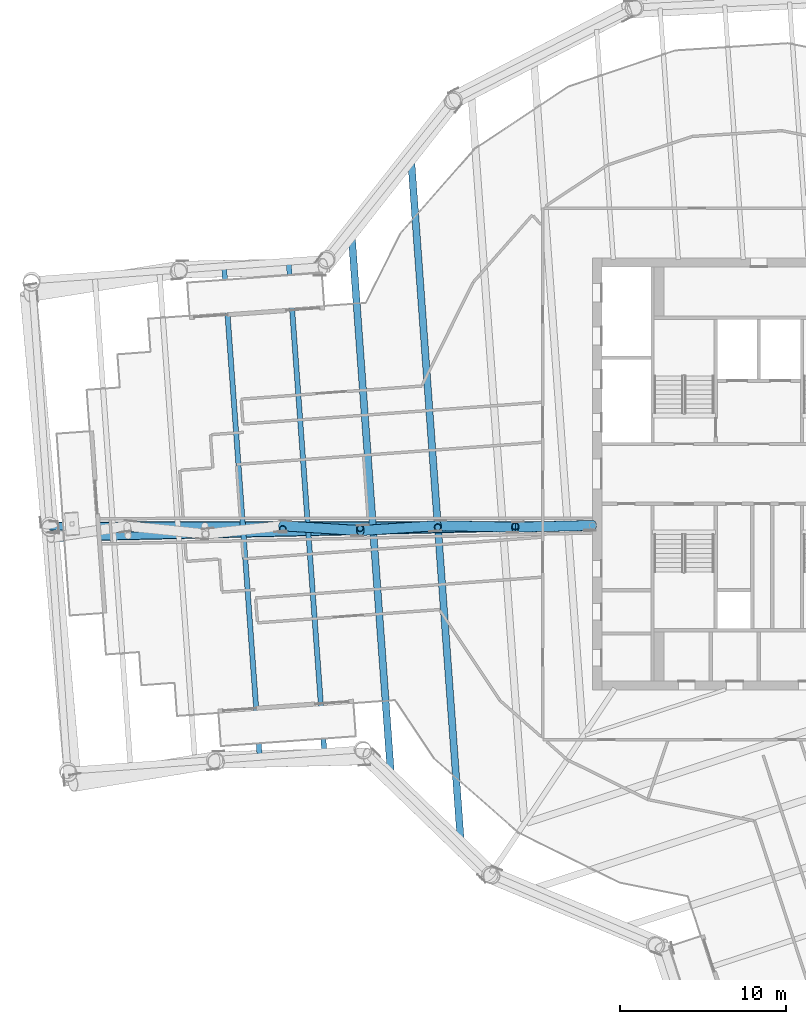
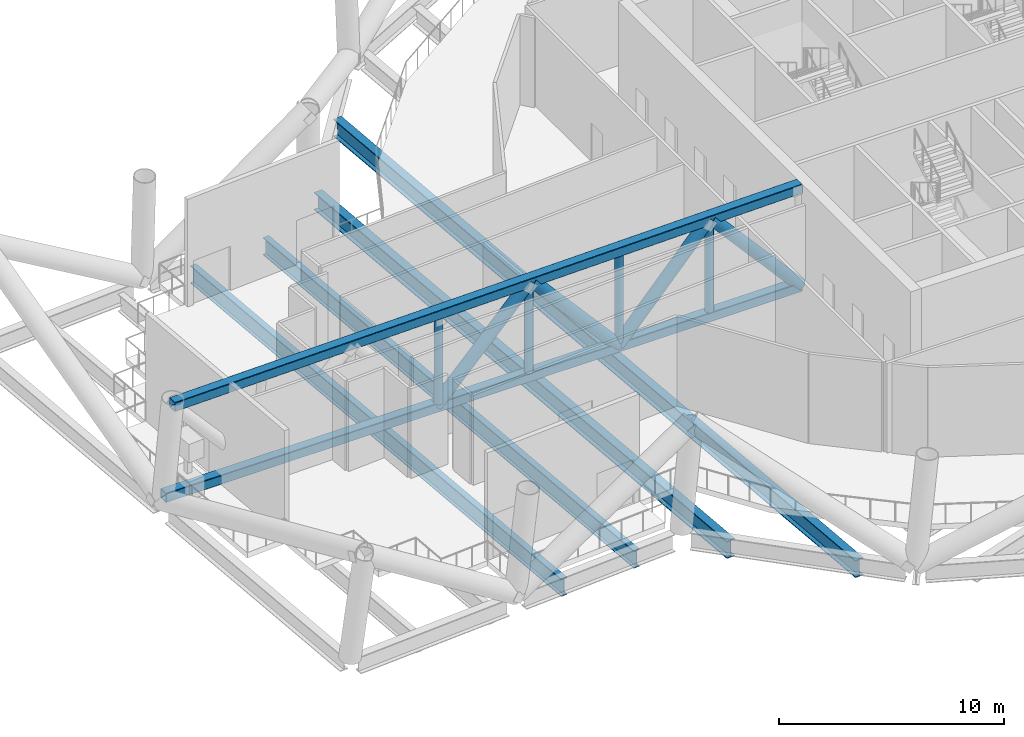
# One storey, part 4 of 33: 10 members, 4 beams.
"""IFC4 building model written with IfcOpenShell, lengths in metres."""

import ifcopenshell
import ifcopenshell.guid

model = None  # the IFC model being written
_history = None  # IfcOwnerHistory: only IFC2X3 demands one
_inside = {}  # id of a spatial element -> (the spatial element, [elements in it])
_under = {}  # id of a project, library or spatial element -> (it, [spatial elements below it])
_declared = {}  # id of a project -> (the project, [libraries it declares])
_typed = {}  # id of a type object -> (the type object, [elements of that type])
_made_of = {}  # id of a material, layer set ... -> (it, [elements and type objects made of it])


def new_model(schema):
    """Start an empty IFC model of exactly this schema.

    Asked for "IFC4X3", IfcOpenShell would pick the latest addendum, in which some entities
    have other attributes; the version numbers below select the first issue.
    IFC2X3 requires an IfcOwnerHistory on every rooted entity: one is made here for all.
    """
    global model, _history
    if schema == "IFC4X3":
        model = ifcopenshell.file(schema_version=(4, 3, 0, 0))
    else:
        model = ifcopenshell.file(schema=schema)
    _inside.clear()
    _under.clear()
    _declared.clear()
    _typed.clear()
    _made_of.clear()
    _history = None
    if model.schema == "IFC2X3":
        org = make("IfcOrganization", Name="unknown")
        user = make(
            "IfcPersonAndOrganization",
            ThePerson=make("IfcPerson", FamilyName="unknown"),
            TheOrganization=org,
        )
        app = make(
            "IfcApplication",
            ApplicationDeveloper=org,
            Version="unknown",
            ApplicationFullName="unknown",
            ApplicationIdentifier="unknown",
        )
        _history = make(
            "IfcOwnerHistory",
            OwningUser=user,
            OwningApplication=app,
            ChangeAction="ADDED",
            CreationDate=0,
        )
    return model


def make(cls, **values):
    """One entity of the class cls with the attributes given. An attribute that is None is left unset."""
    return model.create_entity(
        cls, **{name: value for name, value in values.items() if value is not None}
    )


def rooted(cls, **values):
    """An entity with a GlobalId (a new one), such as an element, a storey or a relation."""
    return make(cls, GlobalId=ifcopenshell.guid.new(), OwnerHistory=_history, **values)


def si_unit(unit_type, name, prefix=None):
    """IfcSIUnit, for example si_unit("LENGTHUNIT", "METRE", prefix="MILLI")."""
    return make("IfcSIUnit", UnitType=unit_type, Prefix=prefix, Name=name)


def assignment(units):
    """IfcUnitAssignment: the units of a project."""
    return None if units is None else make("IfcUnitAssignment", Units=units)


def point(xyz):
    """IfcCartesianPoint."""
    return None if xyz is None else make("IfcCartesianPoint", Coordinates=xyz)


def direction(xyz):
    """IfcDirection."""
    return None if xyz is None else make("IfcDirection", DirectionRatios=xyz)


def frame(location, z_axis=None, x_axis=None):
    """IfcAxis2Placement3D, a coordinate frame: its origin and axes. An axis left out is left unset."""
    return make(
        "IfcAxis2Placement3D",
        Location=point(location),
        Axis=direction(z_axis),
        RefDirection=direction(x_axis),
    )


def frame_2d(location, x_axis=None):
    """IfcAxis2Placement2D, a coordinate frame in the plane: its origin and x axis."""
    return make(
        "IfcAxis2Placement2D", Location=point(location), RefDirection=direction(x_axis)
    )


def origin():
    """The frame at (0, 0, 0) with its axes left unset."""
    return frame((0.0, 0.0, 0.0))


def origin_2d():
    """The frame at (0, 0) in the plane with its x axis left unset."""
    return frame_2d((0.0, 0.0))


def place(relative_to, where):
    """IfcLocalPlacement: puts the frame where relative to a parent placement (None: the world)."""
    return make(
        "IfcLocalPlacement", PlacementRelTo=relative_to, RelativePlacement=where
    )


def context(
    kind, dimensions, precision=None, world=None, true_north=None, identifier=None
):
    """IfcGeometricRepresentationContext, for example the 3D "Model" context."""
    return make(
        "IfcGeometricRepresentationContext",
        ContextIdentifier=identifier,
        ContextType=kind,
        CoordinateSpaceDimension=dimensions,
        Precision=precision,
        WorldCoordinateSystem=world,
        TrueNorth=true_north,
    )


def subcontext(parent, identifier, kind, view, scale=None):
    """IfcGeometricRepresentationSubContext, for example "Body" below "Model"."""
    return make(
        "IfcGeometricRepresentationSubContext",
        ContextIdentifier=identifier,
        ContextType=kind,
        ParentContext=parent,
        TargetScale=scale,
        TargetView=view,
    )


def project(units=None, contexts=None):
    """IfcProject with its units and contexts."""
    return rooted(
        "IfcProject",
        Name="project",
        RepresentationContexts=contexts,
        UnitsInContext=assignment(units),
    )


def spatial(cls, under=None, at=None, **own):
    """A site, building, storey or space (cls), placed at a placement, below another one or the project."""
    s = rooted(cls, ObjectPlacement=at, **own)
    if under is not None:
        _under.setdefault(under.id(), (under, []))[1].append(s)
    return s


def profile(cls, at=None, kind="AREA", **sizes):
    """A parametric profile (cls). Its sizes go by their IFC names, for example OverallWidth=200.0."""
    return make(cls, ProfileType=kind, Position=at, **sizes)


def hollow_rectangle(**sizes):
    """IfcRectangleHollowProfileDef."""
    return profile("IfcRectangleHollowProfileDef", **sizes)


def hollow_circle(**sizes):
    """IfcCircleHollowProfileDef."""
    return profile("IfcCircleHollowProfileDef", **sizes)


def i_section(**sizes):
    """IfcIShapeProfileDef."""
    return profile("IfcIShapeProfileDef", **sizes)


def extrude(swept, where, along, depth):
    """IfcExtrudedAreaSolid: the profile swept, set in the frame where, extruded along a direction by depth."""
    return make(
        "IfcExtrudedAreaSolid",
        SweptArea=swept,
        Position=where,
        ExtrudedDirection=direction(along),
        Depth=depth,
    )


def shape(context_of_items, identifier, shape_type, items):
    """IfcShapeRepresentation: the items that make up one representation, for example the "Body"."""
    return make(
        "IfcShapeRepresentation",
        ContextOfItems=context_of_items,
        RepresentationIdentifier=identifier,
        RepresentationType=shape_type,
        Items=items,
    )


def material(Name=None, Category=None):
    """IfcMaterial."""
    return make("IfcMaterial", Name=Name, Category=Category)


def material_profile(
    of_material, cross_section, Name=None, Category=None, Priority=None
):
    """IfcMaterialProfile: a cross section and its material."""
    return make(
        "IfcMaterialProfile",
        Name=Name,
        Material=of_material,
        Profile=cross_section,
        Priority=Priority,
        Category=Category,
    )


def profile_set(profiles, Name=None, composite=None):
    """IfcMaterialProfileSet."""
    return make(
        "IfcMaterialProfileSet",
        Name=Name,
        MaterialProfiles=profiles,
        CompositeProfile=composite,
    )


def made_of(thing, what):
    """Note that an element or type object is made of a material, layer set ...; save() writes the relation."""
    if what is not None:
        _made_of.setdefault(what.id(), (what, []))[1].append(thing)
    return thing


def type_object(cls, material=None, **own):
    """A type object (cls), such as IfcWallType, which elements share."""
    return made_of(rooted(cls, **own), material)


def element(
    cls,
    number,
    at=None,
    inside=None,
    cuts=None,
    type_object=None,
    material=None,
    context=None,
    identifier="Body",
    shape_type=None,
    held_by="IfcProductDefinitionShape",
    body=None,
    shapes=None,
    **own,
):
    """One element of the class cls, such as IfcWall. Its Tag is "e" and its number.

    at: its placement. inside: the storey or other place that contains it. cuts: it is an
    opening in that element (IfcRelVoidsElement). A single representation is given by context,
    identifier, shape_type and body (its items); several are given by shapes. held_by: the class
    of the entity that holds the representations. save() writes the other relations.
    """
    e = rooted(cls, Tag="e%d" % number, ObjectPlacement=at, **own)
    if body is not None:
        shapes = [shape(context, identifier, shape_type, body)]
    if shapes is not None:
        e.Representation = make(held_by, Representations=shapes)
    if inside is not None:
        _inside.setdefault(inside.id(), (inside, []))[1].append(e)
    if cuts is not None:
        rooted(
            "IfcRelVoidsElement", RelatingBuildingElement=cuts, RelatedOpeningElement=e
        )
    if type_object is not None:
        _typed.setdefault(type_object.id(), (type_object, []))[1].append(e)
    return made_of(e, material)


def aggregate(whole, parts):
    """IfcRelAggregates: a whole, such as a stair, and the parts it consists of."""
    return rooted("IfcRelAggregates", RelatingObject=whole, RelatedObjects=parts)


def save(model, path):
    """Write the relations noted so far, then the file.

    IfcRelAggregates (storeys below a building ...), IfcRelContainedInSpatialStructure (elements
    in a storey), IfcRelDefinesByType, IfcRelAssociatesMaterial and IfcRelDeclares: one each for
    every whole, place, type object, material and project.
    """
    for whole, parts in _under.values():
        aggregate(whole, parts)
    for where, things in _inside.values():
        rooted(
            "IfcRelContainedInSpatialStructure",
            RelatedElements=things,
            RelatingStructure=where,
        )
    for kind, things in _typed.values():
        rooted("IfcRelDefinesByType", RelatedObjects=things, RelatingType=kind)
    for what, things in _made_of.values():
        rooted("IfcRelAssociatesMaterial", RelatedObjects=things, RelatingMaterial=what)
    for by, libraries in _declared.values():
        rooted("IfcRelDeclares", RelatingContext=by, RelatedDefinitions=libraries)
    model.write(path)


model = new_model("IFC4")

# Units and contexts
model_context = context("Model", 3, precision=1e-05, world=origin(), true_north=direction((0.0, 1.0)))
body_context = subcontext(model_context, "Body", "Model", "MODEL_VIEW")
ifc_project = project(units=[si_unit("LENGTHUNIT", "METRE"), si_unit("AREAUNIT", "SQUARE_METRE"), si_unit("VOLUMEUNIT", "CUBIC_METRE"), si_unit("PLANEANGLEUNIT", "RADIAN"), si_unit("MASSUNIT", "GRAM", prefix="KILO")], contexts=[model_context])

# Site, building, storey
site_placement = place(None, origin())
site = spatial("IfcSite", under=ifc_project, at=site_placement, CompositionType="ELEMENT")
building_placement = place(site_placement, origin())
building = spatial("IfcBuilding", under=site, at=building_placement, Name="Tarsis Ring Headquarters", CompositionType="ELEMENT")
storey_placement = place(building_placement, frame((0.0, 0.0, 302.0)))
storey = spatial("IfcBuildingStorey", under=building, at=storey_placement, Name="L71", CompositionType="ELEMENT", Elevation=302.0)

# Beams
ifc_material = material(Name="Structural steel S355", Category="steel")
ifc_material_profile_1 = material_profile(ifc_material, i_section(OverallWidth=0.309814453125, OverallDepth=0.949951171875, WebThickness=0.0244140625, FlangeThickness=0.0439453125, at=origin_2d()), Name="W36x256")
ifc_profile_set_1 = profile_set([ifc_material_profile_1], Name="Structural steel S355")
beam_type_1 = type_object("IfcBeamType", Name="FB Floor beam W36x256", PredefinedType="JOIST", material=ifc_profile_set_1)
beam_1_placement = place(storey_placement, frame((-28.29345703125, 12.668701171875, -0.77490234375), z_axis=(0.072538100793, -0.997365642046, 0.0), x_axis=(0.997365642046, 0.072538100793, 0.0)))
element("IfcBeam", 1, at=beam_1_placement, inside=storey, type_object=beam_type_1, Name="Floor beam FB11", PredefinedType="JOIST", context=body_context, shape_type="SweptSolid", body=[
    extrude(i_section(OverallWidth=0.309814453125, OverallDepth=0.949951171875, WebThickness=0.0244140625, FlangeThickness=0.0439453125, at=origin_2d()), origin(), (0.0, 0.0, 1.0), 29.375732421875),
])
beam_2_placement = place(storey_placement, frame((-32.183349609375, 12.385986328125, -0.77490234375), z_axis=(0.072545766684, -0.997365084478, 0.0), x_axis=(0.997365084478, 0.072545766684, 0.0)))
element("IfcBeam", 2, at=beam_2_placement, inside=storey, type_object=beam_type_1, Name="Floor beam FB11", PredefinedType="JOIST", context=body_context, shape_type="SweptSolid", body=[
    extrude(i_section(OverallWidth=0.309814453125, OverallDepth=0.949951171875, WebThickness=0.0244140625, FlangeThickness=0.0439453125, at=origin_2d()), origin(), (0.0, 0.0, 1.0), 29.3759765625),
])
ifc_material_profile_2 = material_profile(ifc_material, i_section(OverallWidth=0.42431640625, OverallDepth=0.947509765625, WebThickness=0.02392578125, FlangeThickness=0.042724609375, at=origin_2d()), Name="W36x302")
ifc_profile_set_2 = profile_set([ifc_material_profile_2], Name="Structural steel S355")
beam_type_2 = type_object("IfcBeamType", Name="FB Floor beam W36x302", PredefinedType="JOIST", material=ifc_profile_set_2)
beam_3_placement = place(storey_placement, frame((-20.937255859375, 19.053466796875, -0.773681640625), z_axis=(0.072540500779, -0.997365467493, 0.0), x_axis=(0.997365467493, 0.072540500779, 0.0)))
element("IfcBeam", 3, at=beam_3_placement, inside=storey, type_object=beam_type_2, Name="Floor beam FB12", PredefinedType="JOIST", context=body_context, shape_type="SweptSolid", body=[
    extrude(i_section(OverallWidth=0.42431640625, OverallDepth=0.947509765625, WebThickness=0.02392578125, FlangeThickness=0.042724609375, at=origin_2d()), origin(), (0.0, 0.0, 1.0), 41.352783203125),
])
beam_4_placement = place(storey_placement, frame((-24.521484375, 14.5703125, -0.773681640625), z_axis=(0.072537720985, -0.997365669669, 0.0), x_axis=(0.997365669669, 0.072537720985, 0.0)))
element("IfcBeam", 4, at=beam_4_placement, inside=storey, type_object=beam_type_2, Name="Floor beam FB12", PredefinedType="JOIST", context=body_context, shape_type="SweptSolid", body=[
    extrude(i_section(OverallWidth=0.42431640625, OverallDepth=0.947509765625, WebThickness=0.02392578125, FlangeThickness=0.042724609375, at=origin_2d()), origin(), (0.0, 0.0, 1.0), 32.70458984375),
])

# Members
ifc_material_profile_3 = material_profile(ifc_material, hollow_rectangle(XDim=0.508056640625, YDim=0.508056640625, WallThickness=0.025390625, InnerFilletRadius=0.025390625, OuterFilletRadius=0.05078125, at=origin_2d()), Name="HSS 508x508x25")
ifc_profile_set_3 = profile_set([ifc_material_profile_3], Name="Structural steel S355")
member_type_1 = type_object("IfcMemberType", Name="OC Outrigger chord HSS 508x508x25", PredefinedType="CHORD", material=ifc_profile_set_3)
member_1_placement = place(storey_placement, frame((-10.0, -3.10009765625, 0.25390625), z_axis=(-0.999999346949, -0.00114284786, 0.0), x_axis=(0.00114284786, -0.999999346949, 0.0)))
element("IfcMember", 5, at=member_1_placement, inside=storey, type_object=member_type_1, Name="Outrigger chord OC1", PredefinedType="CHORD", context=body_context, shape_type="SweptSolid", body=[
    extrude(hollow_rectangle(XDim=0.508056640625, YDim=0.508056640625, WallThickness=0.025390625, InnerFilletRadius=0.025390625, OuterFilletRadius=0.05078125, at=origin_2d()), origin(), (0.0, 0.0, 1.0), 32.6845703125),
])
member_2_placement = place(storey_placement, frame((-10.0, -3.10009765625, 5.5859375), z_axis=(-0.999752826936, -0.022232521992, 0.0), x_axis=(0.022232521992, -0.999752826936, 0.0)))
element("IfcMember", 6, at=member_2_placement, inside=storey, type_object=member_type_1, Name="Outrigger chord OC1", PredefinedType="CHORD", context=body_context, shape_type="SweptSolid", body=[
    extrude(hollow_rectangle(XDim=0.508056640625, YDim=0.508056640625, WallThickness=0.025390625, InnerFilletRadius=0.025390625, OuterFilletRadius=0.05078125, at=origin_2d()), origin(), (0.0, 0.0, 1.0), 32.63623046875),
])
ifc_material_profile_4 = material_profile(ifc_material, hollow_circle(Radius=0.3046875, WallThickness=0.02490234375, at=origin_2d()), Name="CHS 610x25")
ifc_profile_set_4 = profile_set([ifc_material_profile_4], Name="Structural steel S355")
member_type_2 = type_object("IfcMemberType", Name="OD Outrigger diagonal CHS 610x25", PredefinedType="BRACE", material=ifc_profile_set_4)
member_3_placement = place(storey_placement, frame((-10.0, -3.10009765625, 0.25390625), z_axis=(-0.658082804728, -0.014614870585, 0.752803711254), x_axis=(0.022202780163, -0.999753487892, 0.0)))
element("IfcMember", 7, at=member_3_placement, inside=storey, type_object=member_type_2, Name="Outrigger diagonal OD1", PredefinedType="BRACE", context=body_context, shape_type="SweptSolid", body=[
    extrude(hollow_circle(Radius=0.3046875, WallThickness=0.02490234375, at=origin_2d()), origin(), (0.0, 0.0, 1.0), 7.0830078125),
])
member_4_placement = place(storey_placement, frame((-14.6611328125, -3.20361328125, 5.5859375), z_axis=(-0.659383462382, 0.013078907804, -0.751693016934), x_axis=(-0.019831155155, -0.999803343306, 0.0)))
element("IfcMember", 8, at=member_4_placement, inside=storey, type_object=member_type_2, Name="Outrigger diagonal OD1", PredefinedType="BRACE", context=body_context, shape_type="SweptSolid", body=[
    extrude(hollow_circle(Radius=0.3046875, WallThickness=0.02490234375, at=origin_2d()), origin(), (0.0, 0.0, 1.0), 7.09326171875),
])
member_5_placement = place(storey_placement, frame((-19.33837890625, -3.11083984375, 0.25390625), z_axis=(-0.656289682265, -0.042391339649, 0.753317215571), x_axis=(0.06445809584, -0.997920414603, 0.0)))
element("IfcMember", 9, at=member_5_placement, inside=storey, type_object=member_type_2, Name="Outrigger diagonal OD1", PredefinedType="BRACE", context=body_context, shape_type="SweptSolid", body=[
    extrude(hollow_circle(Radius=0.3046875, WallThickness=0.02490234375, at=origin_2d()), origin(), (0.0, 0.0, 1.0), 7.078125),
])
member_6_placement = place(storey_placement, frame((-23.983642578125, -3.410888671875, 5.5859375), z_axis=(-0.66017355437, 0.040694218785, -0.750009905713), x_axis=(-0.061524920615, -0.998105547597, 0.0)))
element("IfcMember", 10, at=member_6_placement, inside=storey, type_object=member_type_2, Name="Outrigger diagonal OD1", PredefinedType="BRACE", context=body_context, shape_type="SweptSolid", body=[
    extrude(hollow_circle(Radius=0.3046875, WallThickness=0.02490234375, at=origin_2d()), origin(), (0.0, 0.0, 1.0), 7.109375),
])
ifc_material_profile_5 = material_profile(ifc_material, hollow_circle(Radius=0.203125, WallThickness=0.01611328125, at=origin_2d()), Name="CHS 406x16")
ifc_profile_set_5 = profile_set([ifc_material_profile_5], Name="Structural steel S355")
member_type_3 = type_object("IfcMemberType", Name="OV Outrigger post CHS 406x16", PredefinedType="STRUT", material=ifc_profile_set_5)
for number, where, z_axis, x_axis, name in (
    (11, (-14.665283203125, -3.154541015625, 0.508056640625), (0.0, 0.0, 1.0), (1.0, 0.0, 0.0), "Outrigger post OV1"),
    (12, (-19.330322265625, -3.208984375, 0.508056640625), (0.0, 0.0, 1.0), (1.0, 0.0, 0.0), "Outrigger post OV1"),
    (13, (-23.99560546875, -3.263427734375, 0.508056640625), (0.0, 0.0, 1.0), (1.0, 0.0, 0.0), "Outrigger post OV1"),
    (14, (-28.660888671875, -3.318115234375, 0.508056640625), (0.0, 0.0, 1.0), (1.0, 0.0, 0.0), "Outrigger post OV1"),
):
    element("IfcMember", number, at=place(storey_placement, frame(where, z_axis=z_axis, x_axis=x_axis)), inside=storey, type_object=member_type_3, Name=name, PredefinedType="STRUT", context=body_context, shape_type="SweptSolid", body=[
        extrude(hollow_circle(Radius=0.203125, WallThickness=0.01611328125, at=origin_2d()), origin(), (0.0, 0.0, 1.0), 4.823974609375),
    ])

save(model, "model.ifc")
